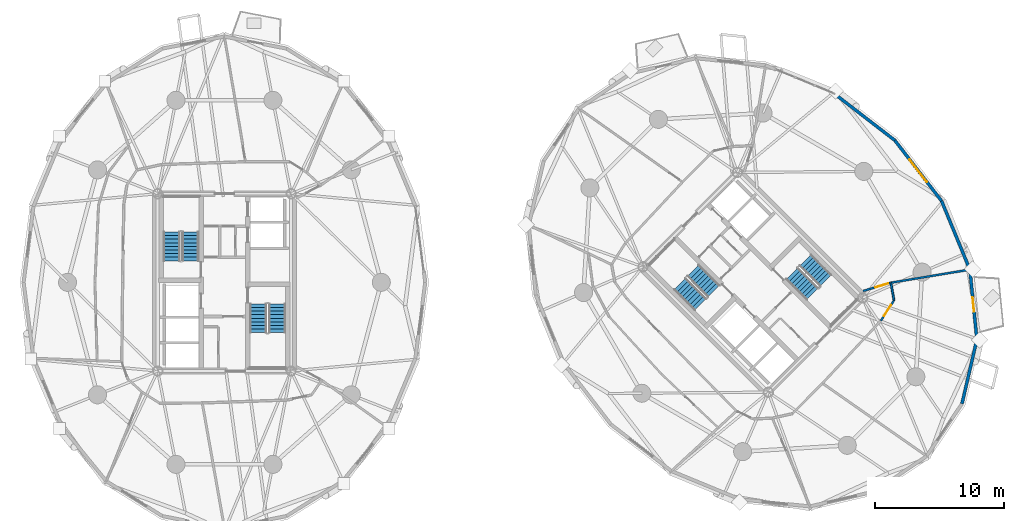
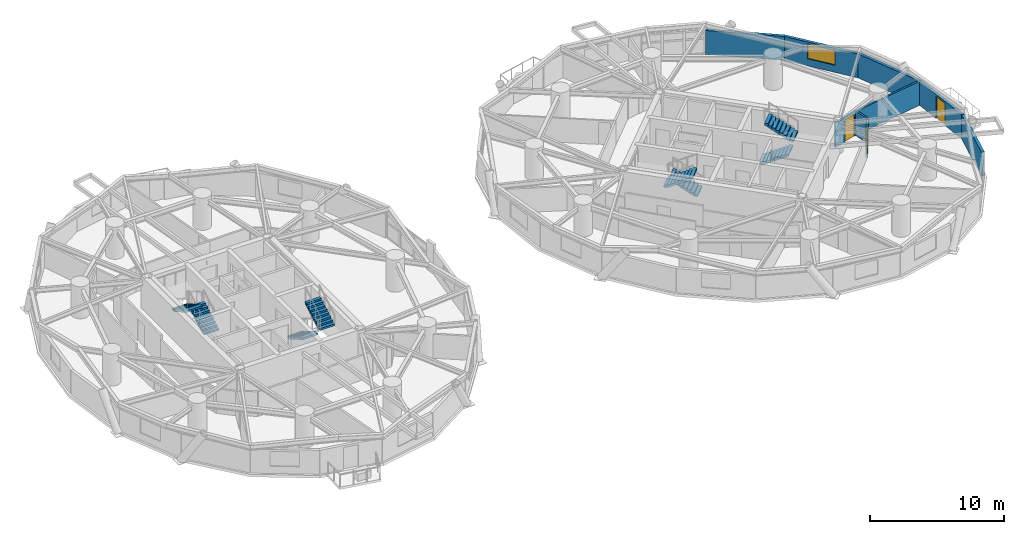
# One storey, part 15 of 18: 9 walls, 8 stair flights, 3 doors, 1 window, 4 openings, 4 elements without a shape of their own.
"""IFC4 building model written with IfcOpenShell, lengths in metres."""

from ifc_helpers import new_model, si_unit, direction, frame, frame_2d, origin, place, context, subcontext, project, spatial, polyline, rectangle, outline, extrude, source, transform, mapped, material, layer, layer_set, type_object, element, fill, aggregate, save


model = new_model("IFC4")

# Units and contexts
model_context = context("Model", 3, precision=1e-05, world=origin(), true_north=direction((0.0, 1.0)))
body_context = subcontext(model_context, "Body", "Model", "MODEL_VIEW")
ifc_project = project(units=[si_unit("LENGTHUNIT", "METRE"), si_unit("AREAUNIT", "SQUARE_METRE"), si_unit("VOLUMEUNIT", "CUBIC_METRE"), si_unit("PLANEANGLEUNIT", "RADIAN"), si_unit("MASSUNIT", "GRAM", prefix="KILO")], contexts=[model_context])

# Site, building, storey
site_placement = place(None, origin())
site = spatial("IfcSite", under=ifc_project, at=site_placement, CompositionType="ELEMENT")
building_placement = place(site_placement, origin())
building = spatial("IfcBuilding", under=site, at=building_placement, Name="Cununo Teusaquillo Station Towers", CompositionType="ELEMENT")
storey_placement = place(building_placement, frame((0.0, 0.0, 119.6201171875)))
storey = spatial("IfcBuildingStorey", under=building, at=storey_placement, Name="L38", CompositionType="ELEMENT", Elevation=119.6201171875)

# Walls
ifc_material_1 = material(Name="Precast concrete C40/50", Category="concrete")
ifc_layer_1 = layer(ifc_material_1, 0.239990234375)
ifc_layer_set_1 = layer_set([ifc_layer_1], Name="Precast concrete C40/50")
wall_type_1 = type_object("IfcWallType", Name="WL-EXT-240", PredefinedType="SOLIDWALL", material=ifc_layer_set_1)
wall_1_placement = place(storey_placement, frame((63.811279296875, 39.145263671875, 0.0), z_axis=(0.0, 0.0, 1.0), x_axis=(0.791982052206, -0.61054437102, 0.0)))
element("IfcWall", 1, at=wall_1_placement, inside=storey, type_object=wall_type_1, Name="L38 Tower B Exterior Facade Wall C00", PredefinedType="SOLIDWALL", context=body_context, shape_type="SweptSolid", body=[
    extrude(rectangle(XDim=5.942138671875, YDim=0.239990234375, at=frame_2d((2.97119140625, 0.0))), origin(), (0.0, 0.0, 1.0), 2.178955078125),
])
wall_2_placement = place(storey_placement, frame((74.885009765625, 20.066650390625, 0.0), z_axis=(0.0, 0.0, 1.0), x_axis=(-0.225834725257, -0.974165631126, 0.0)))
element("IfcWall", 2, at=wall_2_placement, inside=storey, type_object=wall_type_1, Name="L38 Tower B Exterior Facade Wall C16", PredefinedType="SOLIDWALL", context=body_context, shape_type="SweptSolid", body=[
    extrude(rectangle(XDim=5.118896484375, YDim=0.239990234375, at=frame_2d((2.5595703125, 0.0))), origin(), (0.0, 0.0, 1.0), 2.178955078125),
])

# Wall, opening, door
wall_3_placement = place(storey_placement, frame((74.33935546875, 25.4873046875, 0.0), z_axis=(0.0, 0.0, 1.0), x_axis=(0.10015591906, -0.994971754311, 0.0)))
wall_3 = element("IfcWall", 3, at=wall_3_placement, inside=storey, type_object=wall_type_1, Name="L38 Tower B Exterior Facade Wall C17", PredefinedType="SOLIDWALL", context=body_context, shape_type="SweptSolid", body=[
    extrude(rectangle(XDim=5.447998046875, YDim=0.239990234375, at=frame_2d((2.72412109375, 0.0))), origin(), (0.0, 0.0, 1.0), 2.178955078125),
])
shared_shape_1 = source(origin(), body_context, "Body", "SweptSolid", [
    extrude(rectangle(XDim=1.14990234375, YDim=2.0048828125, at=frame_2d((0.574951171875, 1.00244140625))), frame((0.0, 0.1298828125, 0.0), z_axis=(0.0, -1.0, 0.0), x_axis=(1.0, 0.0, 0.0)), (0.0, 0.0, 1.0), 0.260009765625),
])
opening_1_placement = place(wall_3_placement, frame((2.14892578125, 0.0, 0.0)))
opening_1 = element("IfcOpeningElement", 4, at=opening_1_placement, cuts=wall_3, Name="Opening ED-03", PredefinedType="OPENING", context=body_context, shape_type="MappedRepresentation", body=[
    mapped(shared_shape_1, transform((0.0, 0.0, 0.0), x_axis=(1.0, 0.0, 0.0), y_axis=(0.0, 1.0, 0.0), z_axis=(0.0, 0.0, 1.0), scale=1.0)),
])
ifc_material_2 = material(Name="Anodised dark bronze aluminium EN AW-6063-T6", Category="aluminium")
door_type_1 = type_object("IfcDoorType", Name="DR-EXT-BAL", OperationType="NOTDEFINED", PredefinedType="DOOR", material=ifc_material_2)
shared_shape_2 = source(origin(), body_context, "Body", "SweptSolid", [
    extrude(rectangle(XDim=1.14990234375, YDim=2.0048828125, at=frame_2d((0.574951171875, 1.00244140625))), frame((0.0, 0.02490234375, 0.0), z_axis=(0.0, -1.0, 0.0), x_axis=(1.0, 0.0, 0.0)), (0.0, 0.0, 1.0), 0.050048828125),
])
door_1_placement = place(opening_1_placement, origin())
door_1 = element("IfcDoor", 5, at=door_1_placement, inside=storey, type_object=door_type_1, Name="L38 Tower B Tree Balcony Door C17", OperationType="SINGLE_SWING_LEFT", OverallHeight=2.0048828125, OverallWidth=1.14990234375, PredefinedType="DOOR", context=body_context, shape_type="MappedRepresentation", body=[
    mapped(shared_shape_2, transform((0.0, 0.0, 0.0), x_axis=(1.0, 0.0, 0.0), y_axis=(0.0, 1.0, 0.0), z_axis=(0.0, 0.0, 1.0), scale=1.0)),
])
fill(opening_1, door_1)

# Wall
wall_4_placement = place(storey_placement, frame((72.145263671875, 30.811279296875, 0.0), z_axis=(0.0, 0.0, 1.0), x_axis=(0.381027003055, -0.924563909604, 0.0)))
element("IfcWall", 6, at=wall_4_placement, inside=storey, type_object=wall_type_1, Name="L38 Tower B Exterior Facade Wall C18", PredefinedType="SOLIDWALL", context=body_context, shape_type="SweptSolid", body=[
    extrude(rectangle(XDim=5.75830078125, YDim=0.239990234375, at=frame_2d((2.879150390625, 0.0))), origin(), (0.0, 0.0, 1.0), 2.178955078125),
])

# Wall, opening, window
wall_5_placement = place(storey_placement, frame((68.517333984375, 35.517333984375, 0.0), z_axis=(0.0, 0.0, 1.0), x_axis=(0.61054437102, -0.791982052206, 0.0)))
wall_5 = element("IfcWall", 7, at=wall_5_placement, inside=storey, type_object=wall_type_1, Name="L38 Tower B Exterior Facade Wall C19", PredefinedType="SOLIDWALL", context=body_context, shape_type="SweptSolid", body=[
    extrude(rectangle(XDim=5.942138671875, YDim=0.239990234375, at=frame_2d((2.97119140625, 0.0))), origin(), (0.0, 0.0, 1.0), 2.178955078125),
])
shared_shape_3 = source(origin(), body_context, "Body", "SweptSolid", [
    extrude(rectangle(XDim=2.199951171875, YDim=1.35009765625, at=frame_2d((1.10009765625, 0.675048828125))), frame((0.0, 0.1298828125, 0.0), z_axis=(0.0, -1.0, 0.0), x_axis=(1.0, 0.0, 0.0)), (0.0, 0.0, 1.0), 0.260009765625),
])
opening_2_placement = place(wall_5_placement, frame((1.87109375, 0.0, 0.64990234375)))
opening_2 = element("IfcOpeningElement", 8, at=opening_2_placement, cuts=wall_5, Name="Opening WN-01", PredefinedType="OPENING", context=body_context, shape_type="MappedRepresentation", body=[
    mapped(shared_shape_3, transform((0.0, 0.0, 0.0), x_axis=(1.0, 0.0, 0.0), y_axis=(0.0, 1.0, 0.0), z_axis=(0.0, 0.0, 1.0), scale=1.0)),
])
ifc_material_3 = material(Name="Ceramic-fritted dark low-E double glazing", Category="glass")
window_type = type_object("IfcWindowType", Name="WIN-FRIT-2200", PartitioningType="DOUBLE_PANEL_VERTICAL", PredefinedType="WINDOW", material=ifc_material_3)
shared_shape_4 = source(origin(), body_context, "Body", "SweptSolid", [
    extrude(rectangle(XDim=2.199951171875, YDim=1.35009765625, at=frame_2d((1.10009765625, 0.675048828125))), frame((0.0, 0.030029296875, 0.0), z_axis=(0.0, -1.0, 0.0), x_axis=(1.0, 0.0, 0.0)), (0.0, 0.0, 1.0), 0.06005859375),
])
window_placement = place(opening_2_placement, origin())
window = element("IfcWindow", 9, at=window_placement, inside=storey, type_object=window_type, Name="L38 Tower B Facade Window C19", OverallHeight=1.35009765625, OverallWidth=2.199951171875, PartitioningType="DOUBLE_PANEL_VERTICAL", PredefinedType="WINDOW", context=body_context, shape_type="MappedRepresentation", body=[
    mapped(shared_shape_4, transform((0.0, 0.0, 0.0), x_axis=(1.0, 0.0, 0.0), y_axis=(0.0, 1.0, 0.0), z_axis=(0.0, 0.0, 1.0), scale=1.0)),
])
fill(opening_2, window)

# Wall, opening, door
ifc_material_4 = material(Name="Fire-rated gypsum plasterboard partition assembly", Category="gypsum")
ifc_layer_2 = layer(ifc_material_4, 0.14990234375)
ifc_layer_set_2 = layer_set([ifc_layer_2], Name="Fire-rated gypsum plasterboard partition assembly")
wall_type_2 = type_object("IfcWallType", Name="WL-PART-150", PredefinedType="PARTITIONING", material=ifc_layer_set_2)
wall_6_placement = place(storey_placement, frame((67.4345703125, 21.521484375, 0.0), z_axis=(0.0, 0.0, 1.0), x_axis=(0.540777197838, 0.841165870859, 0.0)))
wall_6 = element("IfcWall", 10, at=wall_6_placement, inside=storey, type_object=wall_type_2, Name="L38 Tower B Corridor Ring Wall C16", PredefinedType="PARTITIONING", context=body_context, shape_type="SweptSolid", body=[
    extrude(rectangle(XDim=1.887939453125, YDim=0.14990234375, at=frame_2d((0.94384765625, 0.0))), origin(), (0.0, 0.0, 1.0), 2.224853515625),
])
shared_shape_5 = source(origin(), body_context, "Body", "SweptSolid", [
    extrude(rectangle(XDim=1.0, YDim=2.014892578125, at=frame_2d((0.5, 1.00732421875))), frame((0.0, 0.0849609375, 0.0), z_axis=(0.0, -1.0, 0.0), x_axis=(1.0, 0.0, 0.0)), (0.0, 0.0, 1.0), 0.169921875),
])
opening_3_placement = place(wall_6_placement, frame((0.44384765625, 0.0, 0.0)))
opening_3 = element("IfcOpeningElement", 11, at=opening_3_placement, cuts=wall_6, Name="Opening D-AC1", PredefinedType="OPENING", context=body_context, shape_type="MappedRepresentation", body=[
    mapped(shared_shape_5, transform((0.0, 0.0, 0.0), x_axis=(1.0, 0.0, 0.0), y_axis=(0.0, 1.0, 0.0), z_axis=(0.0, 0.0, 1.0), scale=1.0)),
])
ifc_material_5 = material(Name="Acoustic solid-core hardwood leaf assembly", Category="wood")
door_type_2 = type_object("IfcDoorType", Name="DR-ACC-1000", OperationType="NOTDEFINED", PredefinedType="DOOR", material=ifc_material_5)
shared_shape_6 = source(origin(), body_context, "Body", "SweptSolid", [
    extrude(rectangle(XDim=1.0, YDim=2.014892578125, at=frame_2d((0.5, 1.00732421875))), frame((0.0, 0.02490234375, 0.0), z_axis=(0.0, -1.0, 0.0), x_axis=(1.0, 0.0, 0.0)), (0.0, 0.0, 1.0), 0.050048828125),
])
door_2_placement = place(opening_3_placement, origin())
door_2 = element("IfcDoor", 12, at=door_2_placement, inside=storey, type_object=door_type_2, Name="L38 Tower B Public Accessible Restroom WC Entrance Door", OperationType="SINGLE_SWING_LEFT", OverallHeight=2.014892578125, OverallWidth=1.0, PredefinedType="DOOR", context=body_context, shape_type="MappedRepresentation", body=[
    mapped(shared_shape_6, transform((0.0, 0.0, 0.0), x_axis=(1.0, 0.0, 0.0), y_axis=(0.0, 1.0, 0.0), z_axis=(0.0, 0.0, 1.0), scale=1.0)),
])
fill(opening_3, door_2)

# Walls
wall_7_placement = place(storey_placement, frame((68.45556640625, 23.109619140625, 0.0), z_axis=(0.0, 0.0, 1.0), x_axis=(-0.1772522795, 0.984165448191, 0.0)))
element("IfcWall", 13, at=wall_7_placement, inside=storey, type_object=wall_type_2, Name="L38 Tower B Corridor Ring Wall C17", PredefinedType="PARTITIONING", context=body_context, shape_type="SweptSolid", body=[
    extrude(rectangle(XDim=1.381591796875, YDim=0.14990234375, at=frame_2d((0.69091796875, 0.0))), origin(), (0.0, 0.0, 1.0), 2.224853515625),
])
ifc_material_6 = material(Name="Fire-rated gypsum plasterboard partition assembly", Category="gypsum")
ifc_layer_3 = layer(ifc_material_6, 0.159912109375)
ifc_layer_set_3 = layer_set([ifc_layer_3], Name="Fire-rated gypsum plasterboard partition assembly")
wall_type_3 = type_object("IfcWallType", Name="WL-PART-160", PredefinedType="PARTITIONING", material=ifc_layer_set_3)
wall_8_placement = place(storey_placement, frame((68.210693359375, 24.46923828125, 0.0), z_axis=(0.0, 0.0, 1.0), x_axis=(0.986479033329, 0.163887512651, 0.0)))
element("IfcWall", 14, at=wall_8_placement, inside=storey, type_object=wall_type_3, Name="L38 Tower B Radial Suite Partition R06", PredefinedType="PARTITIONING", context=body_context, shape_type="SweptSolid", body=[
    extrude(rectangle(XDim=6.192626953125, YDim=0.159912109375, at=frame_2d((3.09619140625, 0.0))), origin(), (0.0, 0.0, 1.0), 2.178955078125),
])

# Wall, opening, door
wall_9_placement = place(storey_placement, frame((66.055908203125, 23.828125, 0.0), z_axis=(0.0, 0.0, 1.0), x_axis=(0.958475403544, 0.285175210708, 0.0)))
wall_9 = element("IfcWall", 15, at=wall_9_placement, inside=storey, type_object=wall_type_3, Name="L38 Tower B East Salon Corridor Portal Wall SE", PredefinedType="PARTITIONING", context=body_context, shape_type="SweptSolid", body=[
    extrude(rectangle(XDim=2.248046875, YDim=0.159912109375, at=frame_2d((1.1240234375, 0.0))), origin(), (0.0, 0.0, 1.0), 2.224853515625),
])
shared_shape_7 = source(origin(), body_context, "Body", "SweptSolid", [
    extrude(rectangle(XDim=1.050048828125, YDim=2.014892578125, at=frame_2d((0.52490234375, 1.00732421875))), frame((0.0, 0.08984375, 0.0), z_axis=(0.0, -1.0, 0.0), x_axis=(1.0, 0.0, 0.0)), (0.0, 0.0, 1.0), 0.179931640625),
])
opening_4_placement = place(wall_9_placement, frame((0.998046875, 0.0, 0.0)))
opening_4 = element("IfcOpeningElement", 16, at=opening_4_placement, cuts=wall_9, Name="Opening D-SU1", PredefinedType="OPENING", context=body_context, shape_type="MappedRepresentation", body=[
    mapped(shared_shape_7, transform((0.0, 0.0, 0.0), x_axis=(1.0, 0.0, 0.0), y_axis=(0.0, 1.0, 0.0), z_axis=(0.0, 0.0, 1.0), scale=1.0)),
])
ifc_material_7 = material(Name="Acoustic solid-core hardwood leaf assembly", Category="wood")
door_type_3 = type_object("IfcDoorType", Name="DR-SUITE-1050", OperationType="NOTDEFINED", PredefinedType="DOOR", material=ifc_material_7)
shared_shape_8 = source(origin(), body_context, "Body", "SweptSolid", [
    extrude(rectangle(XDim=1.050048828125, YDim=2.014892578125, at=frame_2d((0.52490234375, 1.00732421875))), frame((0.0, 0.02490234375, 0.0), z_axis=(0.0, -1.0, 0.0), x_axis=(1.0, 0.0, 0.0)), (0.0, 0.0, 1.0), 0.050048828125),
])
door_3_placement = place(opening_4_placement, origin())
door_3 = element("IfcDoor", 17, at=door_3_placement, inside=storey, type_object=door_type_3, Name="L38 Tower B East Panorama Sky Salon Door SE", OperationType="SINGLE_SWING_RIGHT", OverallHeight=2.014892578125, OverallWidth=1.050048828125, PredefinedType="DOOR", context=body_context, shape_type="MappedRepresentation", body=[
    mapped(shared_shape_8, transform((0.0, 0.0, 0.0), x_axis=(1.0, 0.0, 0.0), y_axis=(0.0, 1.0, 0.0), z_axis=(0.0, 0.0, 1.0), scale=1.0)),
])
fill(opening_4, door_3)

# Stair, stair flights
ifc_material_8 = material(Name="Concrete C50/60", Category="concrete")
stair_type = type_object("IfcStairType", Name="ST-TWR-1300", PredefinedType="HALF_TURN_STAIR", material=ifc_material_8)
stair_1_placement = place(storey_placement, origin())
stair_1 = element("IfcStair", 18, at=stair_1_placement, inside=storey, type_object=stair_type, Name="L38 Tower A Protected Core Exit Stair 1", PredefinedType="HALF_TURN_STAIR")
ifc_material_9 = material(Name="Concrete C50/60", Category="concrete")
stair_flight_type = type_object("IfcStairFlightType", Name="SFL-TWR-1300", PredefinedType="STRAIGHT", material=ifc_material_9)
stair_flight_1_placement = place(storey_placement, frame((13.8701171875, 26.169921875, 0.0), z_axis=(0.0, 0.0, 1.0), x_axis=(0.0, 1.0, 0.0)))
stair_flight_1 = element("IfcStairFlight", 19, at=stair_flight_1_placement, type_object=stair_flight_type, Name="ST-T1-1 flight 1", NumberOfRisers=9, NumberOfTreads=8, PredefinedType="STRAIGHT", RiserHeight=0.161666667, TreadLength=0.28, context=body_context, shape_type="SweptSolid", body=[
    extrude(outline(polyline([(0.0, 0.0), (0.0, 0.16162109375), (0.280029296875, 0.16162109375), (0.280029296875, 0.3232421875), (0.56005859375, 0.3232421875), (0.56005859375, 0.485107421875), (0.840087890625, 0.485107421875), (0.840087890625, 0.646728515625), (1.1201171875, 0.646728515625), (1.1201171875, 0.808349609375), (1.39990234375, 0.808349609375), (1.39990234375, 0.969970703125), (1.679931640625, 0.969970703125), (1.679931640625, 1.131591796875), (1.9599609375, 1.131591796875), (1.9599609375, 1.293212890625), (2.239990234375, 1.293212890625), (2.239990234375, 1.455078125), (2.239990234375, 1.1201171875), (0.2998046875, 0.0), (0.0, 0.0)])), frame((0.0, 0.64990234375, 0.0), z_axis=(0.0, -1.0, 0.0), x_axis=(1.0, 0.0, 0.0)), (0.0, 0.0, 1.0), 1.300048828125),
])
stair_flight_2_placement = place(storey_placement, frame((12.409912109375, 28.409912109375, 1.454833984375), z_axis=(0.0, 0.0, 1.0), x_axis=(0.0, -1.0, 0.0)))
stair_flight_2 = element("IfcStairFlight", 20, at=stair_flight_2_placement, type_object=stair_flight_type, Name="ST-T1-1 flight 2", NumberOfRisers=9, NumberOfTreads=8, PredefinedType="STRAIGHT", RiserHeight=0.161666667, TreadLength=0.28, context=body_context, shape_type="SweptSolid", body=[
    extrude(outline(polyline([(0.0, 0.0), (0.0, 0.16162109375), (0.280029296875, 0.16162109375), (0.280029296875, 0.3232421875), (0.56005859375, 0.3232421875), (0.56005859375, 0.485107421875), (0.840087890625, 0.485107421875), (0.840087890625, 0.646728515625), (1.1201171875, 0.646728515625), (1.1201171875, 0.808349609375), (1.39990234375, 0.808349609375), (1.39990234375, 0.969970703125), (1.679931640625, 0.969970703125), (1.679931640625, 1.131591796875), (1.9599609375, 1.131591796875), (1.9599609375, 1.293212890625), (2.239990234375, 1.293212890625), (2.239990234375, 1.455078125), (2.239990234375, 1.1201171875), (0.2998046875, 0.0), (0.0, 0.0)])), frame((0.0, 0.64990234375, 0.0), z_axis=(0.0, -1.0, 0.0), x_axis=(1.0, 0.0, 0.0)), (0.0, 0.0, 1.0), 1.300048828125),
])
aggregate(stair_1, [stair_flight_1, stair_flight_2])

stair_2_placement = place(storey_placement, origin())
stair_2 = element("IfcStair", 21, at=stair_2_placement, inside=storey, type_object=stair_type, Name="L38 Tower A Protected Core Exit Stair 2", PredefinedType="HALF_TURN_STAIR")
stair_flight_3_placement = place(storey_placement, frame((19.1298828125, 22.830078125, 0.0), z_axis=(0.0, 0.0, 1.0), x_axis=(0.0, -1.0, 0.0)))
stair_flight_3 = element("IfcStairFlight", 22, at=stair_flight_3_placement, type_object=stair_flight_type, Name="ST-T1-2 flight 1", NumberOfRisers=9, NumberOfTreads=8, PredefinedType="STRAIGHT", RiserHeight=0.161666667, TreadLength=0.28, context=body_context, shape_type="SweptSolid", body=[
    extrude(outline(polyline([(0.0, 0.0), (0.0, 0.16162109375), (0.280029296875, 0.16162109375), (0.280029296875, 0.3232421875), (0.56005859375, 0.3232421875), (0.56005859375, 0.485107421875), (0.840087890625, 0.485107421875), (0.840087890625, 0.646728515625), (1.1201171875, 0.646728515625), (1.1201171875, 0.808349609375), (1.39990234375, 0.808349609375), (1.39990234375, 0.969970703125), (1.679931640625, 0.969970703125), (1.679931640625, 1.131591796875), (1.9599609375, 1.131591796875), (1.9599609375, 1.293212890625), (2.239990234375, 1.293212890625), (2.239990234375, 1.455078125), (2.239990234375, 1.1201171875), (0.2998046875, 0.0), (0.0, 0.0)])), frame((0.0, 0.64990234375, 0.0), z_axis=(0.0, -1.0, 0.0), x_axis=(1.0, 0.0, 0.0)), (0.0, 0.0, 1.0), 1.300048828125),
])
stair_flight_4_placement = place(storey_placement, frame((20.590087890625, 20.590087890625, 1.454833984375), z_axis=(0.0, 0.0, 1.0), x_axis=(0.0, 1.0, 0.0)))
stair_flight_4 = element("IfcStairFlight", 23, at=stair_flight_4_placement, type_object=stair_flight_type, Name="ST-T1-2 flight 2", NumberOfRisers=9, NumberOfTreads=8, PredefinedType="STRAIGHT", RiserHeight=0.161666667, TreadLength=0.28, context=body_context, shape_type="SweptSolid", body=[
    extrude(outline(polyline([(0.0, 0.0), (0.0, 0.16162109375), (0.280029296875, 0.16162109375), (0.280029296875, 0.3232421875), (0.56005859375, 0.3232421875), (0.56005859375, 0.485107421875), (0.840087890625, 0.485107421875), (0.840087890625, 0.646728515625), (1.1201171875, 0.646728515625), (1.1201171875, 0.808349609375), (1.39990234375, 0.808349609375), (1.39990234375, 0.969970703125), (1.679931640625, 0.969970703125), (1.679931640625, 1.131591796875), (1.9599609375, 1.131591796875), (1.9599609375, 1.293212890625), (2.239990234375, 1.293212890625), (2.239990234375, 1.455078125), (2.239990234375, 1.1201171875), (0.2998046875, 0.0), (0.0, 0.0)])), frame((0.0, 0.64990234375, 0.0), z_axis=(0.0, -1.0, 0.0), x_axis=(1.0, 0.0, 0.0)), (0.0, 0.0, 1.0), 1.300048828125),
])
aggregate(stair_2, [stair_flight_3, stair_flight_4])

stair_3_placement = place(storey_placement, origin())
stair_3 = element("IfcStair", 24, at=stair_3_placement, inside=storey, type_object=stair_type, Name="L38 Tower B Protected Core Exit Stair 1", PredefinedType="HALF_TURN_STAIR")
stair_flight_5_placement = place(storey_placement, frame((54.45947265625, 23.8212890625, 0.0), z_axis=(0.0, 0.0, 1.0), x_axis=(-0.707106781187, 0.707106781187, 0.0)))
stair_flight_5 = element("IfcStairFlight", 25, at=stair_flight_5_placement, type_object=stair_flight_type, Name="ST-T2-1 flight 1", NumberOfRisers=9, NumberOfTreads=8, PredefinedType="STRAIGHT", RiserHeight=0.161666667, TreadLength=0.28, context=body_context, shape_type="SweptSolid", body=[
    extrude(outline(polyline([(0.0, 0.0), (0.0, 0.16162109375), (0.280029296875, 0.16162109375), (0.280029296875, 0.3232421875), (0.56005859375, 0.3232421875), (0.56005859375, 0.485107421875), (0.840087890625, 0.485107421875), (0.840087890625, 0.646728515625), (1.1201171875, 0.646728515625), (1.1201171875, 0.808349609375), (1.39990234375, 0.808349609375), (1.39990234375, 0.969970703125), (1.679931640625, 0.969970703125), (1.679931640625, 1.131591796875), (1.9599609375, 1.131591796875), (1.9599609375, 1.293212890625), (2.239990234375, 1.293212890625), (2.239990234375, 1.455078125), (2.239990234375, 1.1201171875), (0.2998046875, 0.0), (0.0, 0.0)])), frame((0.0, 0.64990234375, 0.0), z_axis=(0.0, -1.0, 0.0), x_axis=(1.0, 0.0, 0.0)), (0.0, 0.0, 1.0), 1.300048828125),
])
stair_flight_6_placement = place(storey_placement, frame((51.84326171875, 24.372802734375, 1.454833984375), z_axis=(0.0, 0.0, 1.0), x_axis=(0.707106781187, -0.707106781187, 0.0)))
stair_flight_6 = element("IfcStairFlight", 26, at=stair_flight_6_placement, type_object=stair_flight_type, Name="ST-T2-1 flight 2", NumberOfRisers=9, NumberOfTreads=8, PredefinedType="STRAIGHT", RiserHeight=0.161666667, TreadLength=0.28, context=body_context, shape_type="SweptSolid", body=[
    extrude(outline(polyline([(0.0, 0.0), (0.0, 0.16162109375), (0.280029296875, 0.16162109375), (0.280029296875, 0.3232421875), (0.56005859375, 0.3232421875), (0.56005859375, 0.485107421875), (0.840087890625, 0.485107421875), (0.840087890625, 0.646728515625), (1.1201171875, 0.646728515625), (1.1201171875, 0.808349609375), (1.39990234375, 0.808349609375), (1.39990234375, 0.969970703125), (1.679931640625, 0.969970703125), (1.679931640625, 1.131591796875), (1.9599609375, 1.131591796875), (1.9599609375, 1.293212890625), (2.239990234375, 1.293212890625), (2.239990234375, 1.455078125), (2.239990234375, 1.1201171875), (0.2998046875, 0.0), (0.0, 0.0)])), frame((0.0, 0.64990234375, 0.0), z_axis=(0.0, -1.0, 0.0), x_axis=(1.0, 0.0, 0.0)), (0.0, 0.0, 1.0), 1.300048828125),
])
aggregate(stair_3, [stair_flight_5, stair_flight_6])

stair_4_placement = place(storey_placement, origin())
stair_4 = element("IfcStair", 27, at=stair_4_placement, inside=storey, type_object=stair_type, Name="L38 Tower B Protected Core Exit Stair 2", PredefinedType="HALF_TURN_STAIR")
stair_flight_7_placement = place(storey_placement, frame((60.54052734375, 25.1787109375, 0.0), z_axis=(0.0, 0.0, 1.0), x_axis=(0.707106781187, -0.707106781187, 0.0)))
stair_flight_7 = element("IfcStairFlight", 28, at=stair_flight_7_placement, type_object=stair_flight_type, Name="ST-T2-2 flight 1", NumberOfRisers=9, NumberOfTreads=8, PredefinedType="STRAIGHT", RiserHeight=0.161666667, TreadLength=0.28, context=body_context, shape_type="SweptSolid", body=[
    extrude(outline(polyline([(0.0, 0.0), (0.0, 0.16162109375), (0.280029296875, 0.16162109375), (0.280029296875, 0.3232421875), (0.56005859375, 0.3232421875), (0.56005859375, 0.485107421875), (0.840087890625, 0.485107421875), (0.840087890625, 0.646728515625), (1.1201171875, 0.646728515625), (1.1201171875, 0.808349609375), (1.39990234375, 0.808349609375), (1.39990234375, 0.969970703125), (1.679931640625, 0.969970703125), (1.679931640625, 1.131591796875), (1.9599609375, 1.131591796875), (1.9599609375, 1.293212890625), (2.239990234375, 1.293212890625), (2.239990234375, 1.455078125), (2.239990234375, 1.1201171875), (0.2998046875, 0.0), (0.0, 0.0)])), frame((0.0, 0.64990234375, 0.0), z_axis=(0.0, -1.0, 0.0), x_axis=(1.0, 0.0, 0.0)), (0.0, 0.0, 1.0), 1.300048828125),
])
stair_flight_8_placement = place(storey_placement, frame((63.15673828125, 24.627197265625, 1.454833984375), z_axis=(0.0, 0.0, 1.0), x_axis=(-0.707106781187, 0.707106781187, 0.0)))
stair_flight_8 = element("IfcStairFlight", 29, at=stair_flight_8_placement, type_object=stair_flight_type, Name="ST-T2-2 flight 2", NumberOfRisers=9, NumberOfTreads=8, PredefinedType="STRAIGHT", RiserHeight=0.161666667, TreadLength=0.28, context=body_context, shape_type="SweptSolid", body=[
    extrude(outline(polyline([(0.0, 0.0), (0.0, 0.16162109375), (0.280029296875, 0.16162109375), (0.280029296875, 0.3232421875), (0.56005859375, 0.3232421875), (0.56005859375, 0.485107421875), (0.840087890625, 0.485107421875), (0.840087890625, 0.646728515625), (1.1201171875, 0.646728515625), (1.1201171875, 0.808349609375), (1.39990234375, 0.808349609375), (1.39990234375, 0.969970703125), (1.679931640625, 0.969970703125), (1.679931640625, 1.131591796875), (1.9599609375, 1.131591796875), (1.9599609375, 1.293212890625), (2.239990234375, 1.293212890625), (2.239990234375, 1.455078125), (2.239990234375, 1.1201171875), (0.2998046875, 0.0), (0.0, 0.0)])), frame((0.0, 0.64990234375, 0.0), z_axis=(0.0, -1.0, 0.0), x_axis=(1.0, 0.0, 0.0)), (0.0, 0.0, 1.0), 1.300048828125),
])
aggregate(stair_4, [stair_flight_7, stair_flight_8])

save(model, "model.ifc")
